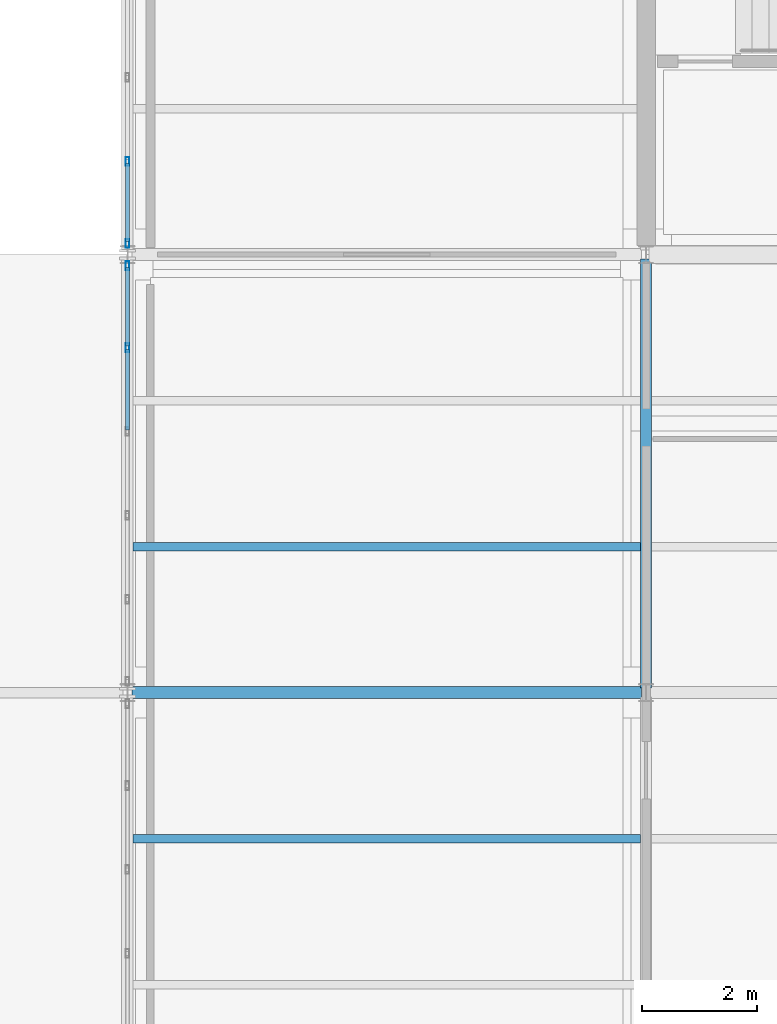
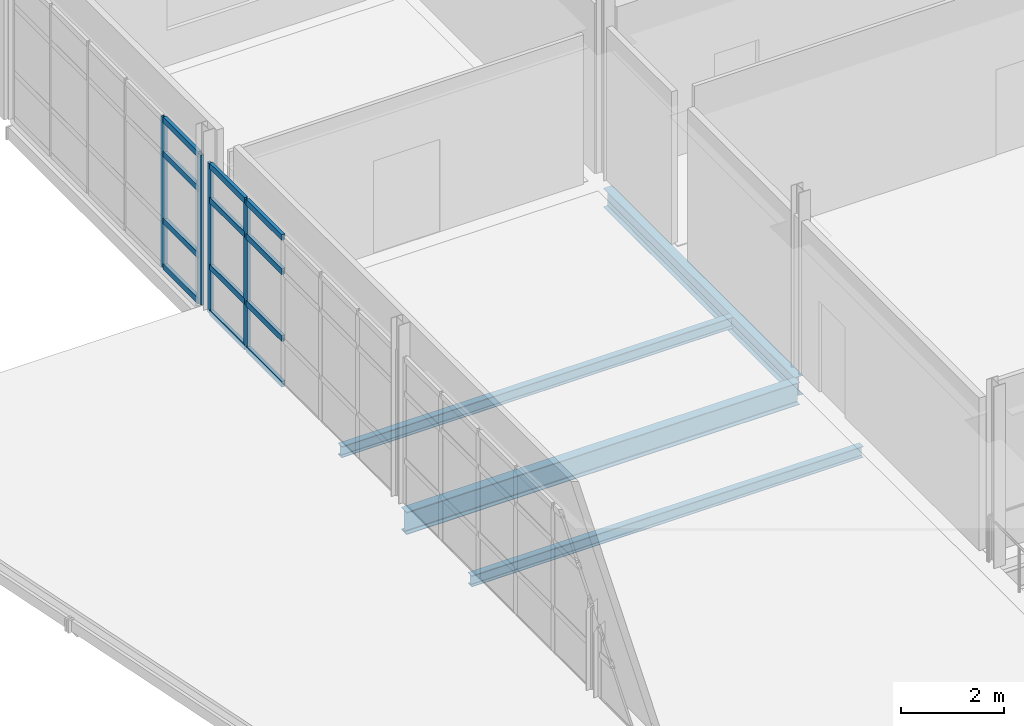
# One storey, part 53 of 96: 16 members, 4 beams, 2 elements without a shape of their own.
"""IFC4 building model written with IfcOpenShell, lengths in metres."""

from ifc_helpers import new_model, si_unit, direction, frame, origin, origin_2d, place, context, subcontext, project, spatial, hollow_rectangle, i_section, extrude, material, material_profile, profile_set, type_object, element, aggregate, save


model = new_model("IFC4")

# Units and contexts
model_context = context("Model", 3, precision=1e-05, world=origin(), true_north=direction((0.0, 1.0)))
body_context = subcontext(model_context, "Body", "Model", "MODEL_VIEW")
ifc_project = project(units=[si_unit("LENGTHUNIT", "METRE"), si_unit("AREAUNIT", "SQUARE_METRE"), si_unit("VOLUMEUNIT", "CUBIC_METRE"), si_unit("PLANEANGLEUNIT", "RADIAN"), si_unit("MASSUNIT", "GRAM", prefix="KILO")], contexts=[model_context])

# Site, building, storey
site_placement = place(None, origin())
site = spatial("IfcSite", under=ifc_project, at=site_placement, CompositionType="ELEMENT")
building_placement = place(site_placement, origin())
building = spatial("IfcBuilding", under=site, at=building_placement, Name="Caisbarro Railhouse Central Library", CompositionType="ELEMENT")
storey_placement = place(building_placement, frame((0.0, 0.0, 13.679931640625)))
storey = spatial("IfcBuildingStorey", under=building, at=storey_placement, Name="L03", CompositionType="ELEMENT", Elevation=13.679931640625)

# Beams
ifc_material_1 = material(Name="Steel ASTM A572 Grade 50", Category="steel")
ifc_material_profile_1 = material_profile(ifc_material_1, i_section(OverallWidth=0.208984375, OverallDepth=0.532958984375, WebThickness=0.01025390625, FlangeThickness=0.015625, FilletRadius=0.02001953125, at=origin_2d()), Name="W530X92.0")
ifc_profile_set_1 = profile_set([ifc_material_profile_1], Name="Steel ASTM A572 Grade 50")
beam_type_1 = type_object("IfcBeamType", Name="BM-G06", PredefinedType="BEAM", material=ifc_profile_set_1)
beam_1_placement = place(storey_placement, frame((117.080078125, 98.800048828125, -0.486328125), z_axis=(1.0, 0.0, 0.0), x_axis=(0.0, 1.0, 0.0)))
element("IfcBeam", 1, at=beam_1_placement, inside=storey, type_object=beam_type_1, Name="G06 beam L03 #1869", PredefinedType="BEAM", context=body_context, shape_type="SweptSolid", body=[
    extrude(i_section(OverallWidth=0.208984375, OverallDepth=0.532958984375, WebThickness=0.01025390625, FlangeThickness=0.015625, FilletRadius=0.02001953125, at=origin_2d()), origin(), (0.0, 0.0, 1.0), 8.83984375),
])
ifc_material_profile_2 = material_profile(ifc_material_1, i_section(OverallWidth=0.18994140625, OverallDepth=0.45703125, WebThickness=0.009033203125, FlangeThickness=0.014404296875, FilletRadius=0.01806640625, at=origin_2d()), Name="W460X74.0")
ifc_profile_set_2 = profile_set([ifc_material_profile_2], Name="Steel ASTM A572 Grade 50")
beam_type_2 = type_object("IfcBeamType", Name="BM-G08", PredefinedType="BEAM", material=ifc_profile_set_2)
beam_2_placement = place(storey_placement, frame((126.0, 98.8798828125, -0.448486328125), z_axis=(0.0, 1.0, 0.0), x_axis=(-1.0, 0.0, 0.0)))
element("IfcBeam", 2, at=beam_2_placement, inside=storey, type_object=beam_type_2, Name="G08 beam L03 #1891", PredefinedType="BEAM", context=body_context, shape_type="SweptSolid", body=[
    extrude(i_section(OverallWidth=0.18994140625, OverallDepth=0.45703125, WebThickness=0.009033203125, FlangeThickness=0.014404296875, FilletRadius=0.01806640625, at=origin_2d()), origin(), (0.0, 0.0, 1.0), 7.440185546875),
])
ifc_material_profile_3 = material_profile(ifc_material_1, i_section(OverallWidth=0.14794921875, OverallDepth=0.26611328125, WebThickness=0.007568359375, FlangeThickness=0.012939453125, FilletRadius=0.010009765625, at=origin_2d()), Name="W250X44.8")
ifc_profile_set_3 = profile_set([ifc_material_profile_3], Name="Steel ASTM A572 Grade 50")
beam_type_3 = type_object("IfcBeamType", Name="BM-J04", PredefinedType="JOIST", material=ifc_profile_set_3)
for number, where, z_axis, x_axis, name in (
    (3, (117.10009765625, 96.2666015625, -0.35302734375), (1.0, 0.0, 0.0), (0.0, 1.0, 0.0), "J04 beam L03 #1916"),
    (4, (117.10009765625, 101.333251953125, -0.35302734375), (1.0, 0.0, 0.0), (0.0, 1.0, 0.0), "J04 beam L03 #1917"),
):
    element("IfcBeam", number, at=place(storey_placement, frame(where, z_axis=z_axis, x_axis=x_axis)), inside=storey, type_object=beam_type_3, Name=name, PredefinedType="JOIST", context=body_context, shape_type="SweptSolid", body=[
        extrude(i_section(OverallWidth=0.14794921875, OverallDepth=0.26611328125, WebThickness=0.007568359375, FlangeThickness=0.012939453125, FilletRadius=0.010009765625, at=origin_2d()), origin(), (0.0, 0.0, 1.0), 8.804931640625),
    ])

# Curtain wall, members
ifc_material_2 = material(Name="Anodised architectural aluminium", Category="aluminium")
curtain_wall_type = type_object("IfcCurtainWallType", Name="CW-CW02", PredefinedType="NOTDEFINED", material=ifc_material_2)
curtain_wall_1_placement = place(storey_placement, origin())
curtain_wall_1 = element("IfcCurtainWall", 5, at=curtain_wall_1_placement, inside=storey, type_object=curtain_wall_type, Name="CW02 curtain wall L03 #146", PredefinedType="NOTDEFINED")
ifc_material_profile_4 = material_profile(ifc_material_2, hollow_rectangle(XDim=0.06494140625, YDim=0.14990234375, WallThickness=0.00390625, at=origin_2d()), Name="ALU-MUL-65X150")
ifc_profile_set_4 = profile_set([ifc_material_profile_4], Name="Anodised architectural aluminium")
member_type_1 = type_object("IfcMemberType", Name="CWM-M02", PredefinedType="MULLION", material=ifc_profile_set_4)
member_1_placement = place(storey_placement, frame((117.0, 104.783935546875, 0.0), z_axis=(0.0, 0.0, 1.0), x_axis=(-1.0, 0.0, 0.0)))
member_1 = element("IfcMember", 6, at=member_1_placement, type_object=member_type_1, Name="CW02 mullion 5", PredefinedType="MULLION", context=body_context, shape_type="SweptSolid", body=[
    extrude(hollow_rectangle(XDim=0.06494140625, YDim=0.14990234375, WallThickness=0.00390625, at=origin_2d()), origin(), (0.0, 0.0, 1.0), 3.56005859375),
])
member_2_placement = place(storey_placement, frame((117.0, 106.20751953125, 0.0), z_axis=(0.0, 0.0, 1.0), x_axis=(-1.0, 0.0, 0.0)))
member_2 = element("IfcMember", 7, at=member_2_placement, type_object=member_type_1, Name="CW02 mullion 6", PredefinedType="MULLION", context=body_context, shape_type="SweptSolid", body=[
    extrude(hollow_rectangle(XDim=0.06494140625, YDim=0.14990234375, WallThickness=0.00390625, at=origin_2d()), origin(), (0.0, 0.0, 1.0), 3.56005859375),
])

curtain_wall_2_placement = place(storey_placement, origin())
curtain_wall_2 = element("IfcCurtainWall", 8, at=curtain_wall_2_placement, inside=storey, type_object=curtain_wall_type, Name="CW02 curtain wall L03 #147", PredefinedType="NOTDEFINED")
member_3_placement = place(storey_placement, frame((117.0, 106.592529296875, 0.0), z_axis=(0.0, 0.0, 1.0), x_axis=(-1.0, 0.0, 0.0)))
member_3 = element("IfcMember", 9, at=member_3_placement, type_object=member_type_1, Name="CW02 mullion 1", PredefinedType="MULLION", context=body_context, shape_type="SweptSolid", body=[
    extrude(hollow_rectangle(XDim=0.06494140625, YDim=0.14990234375, WallThickness=0.00390625, at=origin_2d()), origin(), (0.0, 0.0, 1.0), 3.56005859375),
])
member_4_placement = place(storey_placement, frame((117.0, 108.01611328125, 0.0), z_axis=(0.0, 0.0, 1.0), x_axis=(-1.0, 0.0, 0.0)))
member_4 = element("IfcMember", 10, at=member_4_placement, type_object=member_type_1, Name="CW02 mullion 2", PredefinedType="MULLION", context=body_context, shape_type="SweptSolid", body=[
    extrude(hollow_rectangle(XDim=0.06494140625, YDim=0.14990234375, WallThickness=0.00390625, at=origin_2d()), origin(), (0.0, 0.0, 1.0), 3.56005859375),
])

# Member
ifc_material_profile_5 = material_profile(ifc_material_2, hollow_rectangle(XDim=0.074951171875, YDim=0.139892578125, WallThickness=0.00390625, at=origin_2d()), Name="ALU-TRN-75X140")
ifc_profile_set_5 = profile_set([ifc_material_profile_5], Name="Anodised architectural aluminium")
member_type_2 = type_object("IfcMemberType", Name="CWT-T01", PredefinedType="USERDEFINED", material=ifc_profile_set_5)
member_5_placement = place(storey_placement, frame((117.0, 103.360595703125, 0.03759765625), z_axis=(0.0, 1.0, 0.0), x_axis=(-1.0, 0.0, 0.0)))
member_5 = element("IfcMember", 11, at=member_5_placement, type_object=member_type_2, Name="CW02 transom 4.1", ObjectType="TRANSOM", PredefinedType="USERDEFINED", context=body_context, shape_type="SweptSolid", body=[
    extrude(hollow_rectangle(XDim=0.074951171875, YDim=0.139892578125, WallThickness=0.00390625, at=origin_2d()), origin(), (0.0, 0.0, 1.0), 1.390869140625),
])

member_6_placement = place(storey_placement, frame((117.0, 103.360595703125, 1.1201171875), z_axis=(0.0, 1.0, 0.0), x_axis=(-1.0, 0.0, 0.0)))
member_6 = element("IfcMember", 12, at=member_6_placement, type_object=member_type_2, Name="CW02 transom 4.2", ObjectType="TRANSOM", PredefinedType="USERDEFINED", context=body_context, shape_type="SweptSolid", body=[
    extrude(hollow_rectangle(XDim=0.074951171875, YDim=0.139892578125, WallThickness=0.00390625, at=origin_2d()), origin(), (0.0, 0.0, 1.0), 1.390869140625),
])

member_7_placement = place(storey_placement, frame((117.0, 103.360595703125, 2.7099609375), z_axis=(0.0, 1.0, 0.0), x_axis=(-1.0, 0.0, 0.0)))
member_7 = element("IfcMember", 13, at=member_7_placement, type_object=member_type_2, Name="CW02 transom 4.3", ObjectType="TRANSOM", PredefinedType="USERDEFINED", context=body_context, shape_type="SweptSolid", body=[
    extrude(hollow_rectangle(XDim=0.074951171875, YDim=0.139892578125, WallThickness=0.00390625, at=origin_2d()), origin(), (0.0, 0.0, 1.0), 1.390869140625),
])

member_8_placement = place(storey_placement, frame((117.0, 103.360595703125, 3.5224609375), z_axis=(0.0, 1.0, 0.0), x_axis=(-1.0, 0.0, 0.0)))
member_8 = element("IfcMember", 14, at=member_8_placement, type_object=member_type_2, Name="CW02 transom 4.4", ObjectType="TRANSOM", PredefinedType="USERDEFINED", context=body_context, shape_type="SweptSolid", body=[
    extrude(hollow_rectangle(XDim=0.074951171875, YDim=0.139892578125, WallThickness=0.00390625, at=origin_2d()), origin(), (0.0, 0.0, 1.0), 1.390869140625),
])

member_9_placement = place(storey_placement, frame((117.0, 104.81640625, 0.03759765625), z_axis=(0.0, 1.0, 0.0), x_axis=(-1.0, 0.0, 0.0)))
member_9 = element("IfcMember", 15, at=member_9_placement, type_object=member_type_2, Name="CW02 transom 5.1", ObjectType="TRANSOM", PredefinedType="USERDEFINED", context=body_context, shape_type="SweptSolid", body=[
    extrude(hollow_rectangle(XDim=0.074951171875, YDim=0.139892578125, WallThickness=0.00390625, at=origin_2d()), origin(), (0.0, 0.0, 1.0), 1.358642578125),
])

member_10_placement = place(storey_placement, frame((117.0, 104.81640625, 1.1201171875), z_axis=(0.0, 1.0, 0.0), x_axis=(-1.0, 0.0, 0.0)))
member_10 = element("IfcMember", 16, at=member_10_placement, type_object=member_type_2, Name="CW02 transom 5.2", ObjectType="TRANSOM", PredefinedType="USERDEFINED", context=body_context, shape_type="SweptSolid", body=[
    extrude(hollow_rectangle(XDim=0.074951171875, YDim=0.139892578125, WallThickness=0.00390625, at=origin_2d()), origin(), (0.0, 0.0, 1.0), 1.358642578125),
])

member_11_placement = place(storey_placement, frame((117.0, 104.81640625, 2.7099609375), z_axis=(0.0, 1.0, 0.0), x_axis=(-1.0, 0.0, 0.0)))
member_11 = element("IfcMember", 17, at=member_11_placement, type_object=member_type_2, Name="CW02 transom 5.3", ObjectType="TRANSOM", PredefinedType="USERDEFINED", context=body_context, shape_type="SweptSolid", body=[
    extrude(hollow_rectangle(XDim=0.074951171875, YDim=0.139892578125, WallThickness=0.00390625, at=origin_2d()), origin(), (0.0, 0.0, 1.0), 1.358642578125),
])

member_12_placement = place(storey_placement, frame((117.0, 104.81640625, 3.5224609375), z_axis=(0.0, 1.0, 0.0), x_axis=(-1.0, 0.0, 0.0)))
member_12 = element("IfcMember", 18, at=member_12_placement, type_object=member_type_2, Name="CW02 transom 5.4", ObjectType="TRANSOM", PredefinedType="USERDEFINED", context=body_context, shape_type="SweptSolid", body=[
    extrude(hollow_rectangle(XDim=0.074951171875, YDim=0.139892578125, WallThickness=0.00390625, at=origin_2d()), origin(), (0.0, 0.0, 1.0), 1.358642578125),
])

aggregate(curtain_wall_1, [member_1, member_2, member_5, member_6, member_7, member_8, member_9, member_10, member_11, member_12])

member_13_placement = place(storey_placement, frame((117.0, 106.625, 0.03759765625), z_axis=(0.0, 1.0, 0.0), x_axis=(-1.0, 0.0, 0.0)))
member_13 = element("IfcMember", 19, at=member_13_placement, type_object=member_type_2, Name="CW02 transom 1.1", ObjectType="TRANSOM", PredefinedType="USERDEFINED", context=body_context, shape_type="SweptSolid", body=[
    extrude(hollow_rectangle(XDim=0.074951171875, YDim=0.139892578125, WallThickness=0.00390625, at=origin_2d()), origin(), (0.0, 0.0, 1.0), 1.3583984375),
])

member_14_placement = place(storey_placement, frame((117.0, 106.625, 1.1201171875), z_axis=(0.0, 1.0, 0.0), x_axis=(-1.0, 0.0, 0.0)))
member_14 = element("IfcMember", 20, at=member_14_placement, type_object=member_type_2, Name="CW02 transom 1.2", ObjectType="TRANSOM", PredefinedType="USERDEFINED", context=body_context, shape_type="SweptSolid", body=[
    extrude(hollow_rectangle(XDim=0.074951171875, YDim=0.139892578125, WallThickness=0.00390625, at=origin_2d()), origin(), (0.0, 0.0, 1.0), 1.3583984375),
])

member_15_placement = place(storey_placement, frame((117.0, 106.625, 2.7099609375), z_axis=(0.0, 1.0, 0.0), x_axis=(-1.0, 0.0, 0.0)))
member_15 = element("IfcMember", 21, at=member_15_placement, type_object=member_type_2, Name="CW02 transom 1.3", ObjectType="TRANSOM", PredefinedType="USERDEFINED", context=body_context, shape_type="SweptSolid", body=[
    extrude(hollow_rectangle(XDim=0.074951171875, YDim=0.139892578125, WallThickness=0.00390625, at=origin_2d()), origin(), (0.0, 0.0, 1.0), 1.3583984375),
])

member_16_placement = place(storey_placement, frame((117.0, 106.625, 3.5224609375), z_axis=(0.0, 1.0, 0.0), x_axis=(-1.0, 0.0, 0.0)))
member_16 = element("IfcMember", 22, at=member_16_placement, type_object=member_type_2, Name="CW02 transom 1.4", ObjectType="TRANSOM", PredefinedType="USERDEFINED", context=body_context, shape_type="SweptSolid", body=[
    extrude(hollow_rectangle(XDim=0.074951171875, YDim=0.139892578125, WallThickness=0.00390625, at=origin_2d()), origin(), (0.0, 0.0, 1.0), 1.3583984375),
])

aggregate(curtain_wall_2, [member_3, member_4, member_13, member_14, member_15, member_16])

save(model, "model.ifc")
